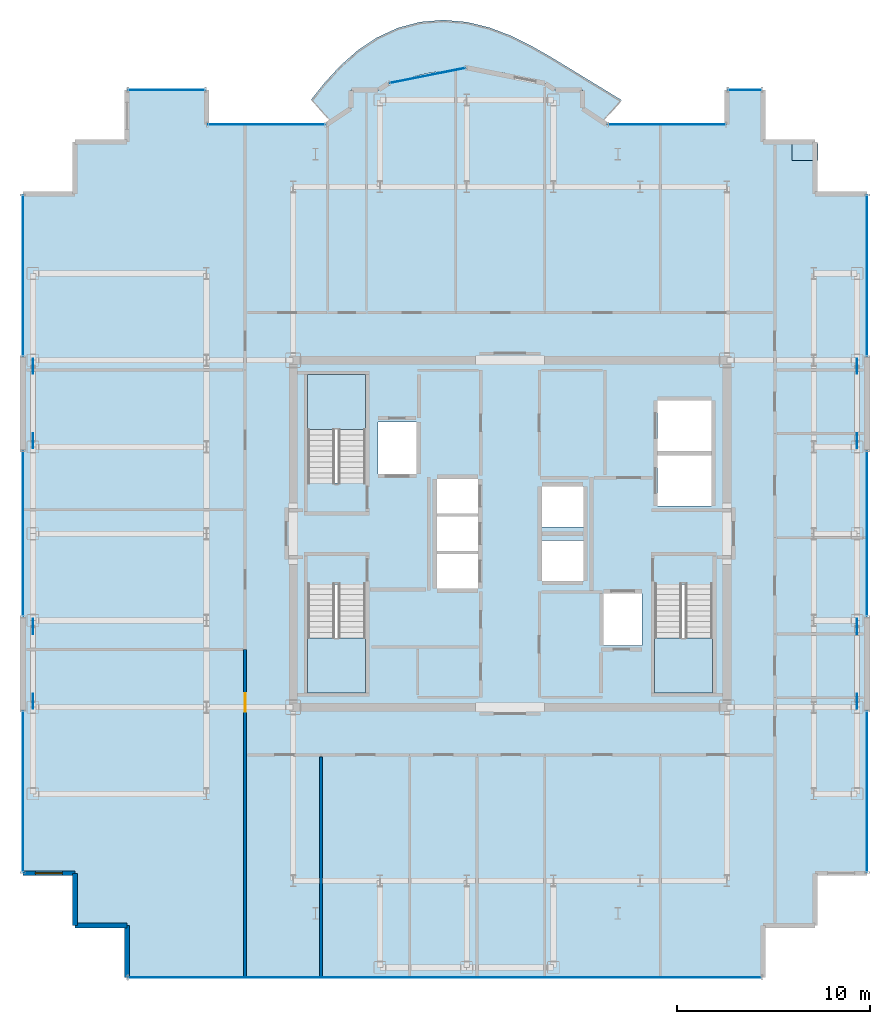
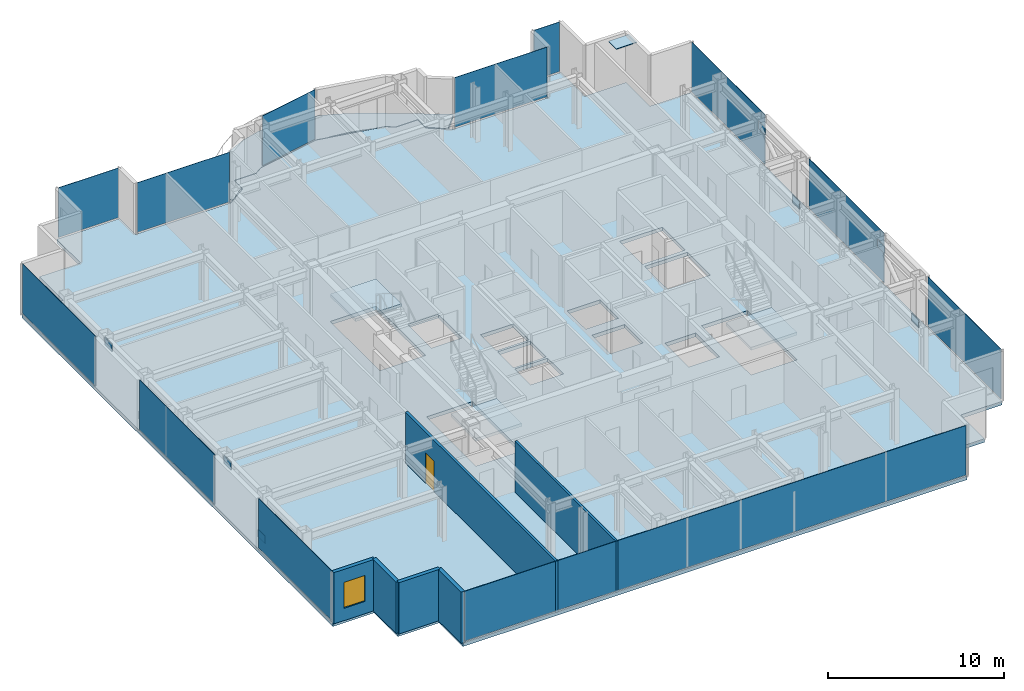
# One storey, part 10 of 16: 21 plates, 6 walls, 5 slabs, 1 door, 1 window, 2 openings, 15 elements without a shape of their own.
"""IFC4 building model written with IfcOpenShell, lengths in metres."""

from ifc_helpers import new_model, si_unit, direction, frame, frame_2d, origin, origin_2d, place, context, subcontext, project, spatial, polyline, rectangle, outline, extrude, source, transform, mapped, material, layer, layer_set, type_object, element, fill, aggregate, save


model = new_model("IFC4")

# Units and contexts
model_context = context("Model", 3, precision=1e-05, world=origin(), true_north=direction((0.0, 1.0)))
body_context = subcontext(model_context, "Body", "Model", "MODEL_VIEW")
ifc_project = project(units=[si_unit("LENGTHUNIT", "METRE"), si_unit("AREAUNIT", "SQUARE_METRE"), si_unit("VOLUMEUNIT", "CUBIC_METRE"), si_unit("PLANEANGLEUNIT", "RADIAN"), si_unit("MASSUNIT", "GRAM", prefix="KILO")], contexts=[model_context])

# Site, building, storey
site_placement = place(None, origin())
site = spatial("IfcSite", under=ifc_project, at=site_placement, CompositionType="ELEMENT")
building_placement = place(site_placement, origin())
building = spatial("IfcBuilding", under=site, at=building_placement, Name="Nefas-Gora Pilgrimage Tower", CompositionType="ELEMENT")
storey_placement = place(building_placement, frame((0.0, 0.0, 287.39990234375)))
storey = spatial("IfcBuildingStorey", under=building, at=storey_placement, Name="L72", CompositionType="ELEMENT", Elevation=287.39990234375)

# Slabs
ifc_material_1 = material(Name="Concrete C40/50", Category="concrete")
ifc_layer_1 = layer(ifc_material_1, 0.22998046875)
ifc_layer_set_1 = layer_set([ifc_layer_1], Name="Concrete C40/50")
slab_type_1 = type_object("IfcSlabType", Name="SLB-BAL-P5", PredefinedType="FLOOR", material=ifc_layer_set_1)
slab_1_placement = place(storey_placement, frame((0.0, 0.0, -0.22998046875)))
element("IfcSlab", 1, at=slab_1_placement, inside=storey, type_object=slab_type_1, Name="L72 Sinusoidal Lobe Balcony Slab N (Phase 5)", PredefinedType="FLOOR", context=body_context, shape_type="SweptSolid", body=[
    extrude(outline(polyline([(-9.28759765625, 21.385986328125), (-9.224609375, 21.427978515625), (-8.538330078125, 21.9912109375), (-8.260009765625, 22.179931640625), (-8.260009765625, 23.02001953125), (-8.260009765625, 23.02099609375), (-8.259765625, 23.02197265625), (-8.259521484375, 23.02294921875), (-8.25927734375, 23.023681640625), (-8.2587890625, 23.024658203125), (-8.25830078125, 23.025634765625), (-8.2578125, 23.0263671875), (-8.257080078125, 23.027099609375), (-8.25634765625, 23.027587890625), (-8.255615234375, 23.0283203125), (-8.254638671875, 23.02880859375), (-8.25390625, 23.029296875), (-8.2529296875, 23.029541015625), (-8.251953125, 23.02978515625), (-8.2509765625, 23.030029296875), (-8.25, 23.030029296875), (-6.8271484375, 23.030029296875), (-6.31298828125, 23.37353515625), (-6.31201171875, 23.3740234375), (-6.311279296875, 23.37451171875), (-6.310302734375, 23.375), (-6.309326171875, 23.375), (-5.63037109375, 23.51025390625), (-5.102783203125, 23.685302734375), (-4.165283203125, 23.904052734375), (-3.211669921875, 24.035888671875), (-2.919921875, 24.04931640625), (-2.251953125, 24.18212890625), (-2.2509765625, 24.182373046875), (-2.25, 24.182373046875), (-2.2490234375, 24.182373046875), (-2.248046875, 24.18212890625), (-1.580078125, 24.04931640625), (-1.288330078125, 24.035888671875), (-0.334716796875, 23.904052734375), (0.602783203125, 23.685302734375), (1.13037109375, 23.51025390625), (1.809326171875, 23.375), (1.810302734375, 23.375), (1.811279296875, 23.37451171875), (1.81201171875, 23.3740234375), (1.81298828125, 23.37353515625), (2.3271484375, 23.030029296875), (3.75, 23.030029296875), (3.7509765625, 23.030029296875), (3.751953125, 23.02978515625), (3.7529296875, 23.029541015625), (3.75390625, 23.029296875), (3.754638671875, 23.02880859375), (3.755615234375, 23.0283203125), (3.75634765625, 23.027587890625), (3.757080078125, 23.027099609375), (3.7578125, 23.0263671875), (3.75830078125, 23.025634765625), (3.7587890625, 23.024658203125), (3.75927734375, 23.023681640625), (3.759521484375, 23.02294921875), (3.759765625, 23.02197265625), (3.760009765625, 23.02099609375), (3.760009765625, 23.02001953125), (3.760009765625, 22.179931640625), (4.038330078125, 21.9912109375), (4.724609375, 21.427978515625), (4.78759765625, 21.385986328125), (5.782958984375, 22.491455078125), (4.843017578125, 23.068603515625), (3.91552734375, 23.631103515625), (2.99072265625, 24.197265625), (2.048583984375, 24.768310546875), (1.06591796875, 25.326904296875), (0.02392578125, 25.83935546875), (-1.083984375, 26.2607421875), (-2.25, 26.5439453125), (-3.45166015625, 26.6484375), (-4.6552734375, 26.548095703125), (-5.822509765625, 26.23681640625), (-6.917724609375, 25.729736328125), (-7.916015625, 25.059814453125), (-8.807861328125, 24.271240234375), (-9.599365234375, 23.412109375), (-10.3115234375, 22.523193359375), (-9.28759765625, 21.385986328125)])), origin(), (0.0, 0.0, 1.0), 0.22998046875),
])
ifc_layer_2 = layer(ifc_material_1, 0.25)
ifc_layer_set_2 = layer_set([ifc_layer_2], Name="Concrete C40/50")
slab_type_2 = type_object("IfcSlabType", Name="SLB-TWR-260", PredefinedType="FLOOR", material=ifc_layer_set_2)
slab_2_placement = place(storey_placement, frame((0.0, 0.0, -0.25)))
element("IfcSlab", 2, at=slab_2_placement, inside=storey, type_object=slab_type_2, Name="L72 Structural Floor Slab", PredefinedType="FLOOR", context=body_context, shape_type="SweptSolid", body=[
    extrude(outline(polyline([(15.820068359375, -17.6201171875), (18.52001953125, -17.6201171875), (18.52001953125, 17.6201171875), (15.820068359375, 17.6201171875), (15.820068359375, 20.320068359375), (13.1201171875, 20.320068359375), (13.1201171875, 23.02001953125), (11.25, 23.02001953125), (11.25, 21.219970703125), (5.01806640625, 21.219970703125), (3.75, 22.0673828125), (3.75, 23.02001953125), (2.32421875, 23.02001953125), (1.807373046875, 23.365234375), (-2.25, 24.17236328125), (-6.307373046875, 23.365234375), (-6.82421875, 23.02001953125), (-8.25, 23.02001953125), (-8.25, 22.0673828125), (-9.51806640625, 21.219970703125), (-15.75, 21.219970703125), (-15.75, 23.02001953125), (-19.8701171875, 23.02001953125), (-19.8701171875, 20.320068359375), (-22.570068359375, 20.320068359375), (-22.570068359375, 17.6201171875), (-25.27001953125, 17.6201171875), (-25.27001953125, -17.6201171875), (-22.570068359375, -17.6201171875), (-22.570068359375, -20.320068359375), (-19.8701171875, -20.320068359375), (-19.8701171875, -23.02001953125), (13.1201171875, -23.02001953125), (13.1201171875, -20.320068359375), (15.820068359375, -20.320068359375), (15.820068359375, -17.6201171875)]), holes=[polyline([(-10.5, 2.639892578125), (-10.5, 8.25), (-7.5, 8.25), (-7.5, 2.639892578125), (-10.5, 2.639892578125)]), polyline([(10.5, -2.639892578125), (10.5, -8.25), (7.5, -8.25), (7.5, -2.639892578125), (10.5, -2.639892578125)]), polyline([(-7.5, -2.639892578125), (-7.5, -8.25), (-10.5, -8.25), (-10.5, -2.639892578125), (-7.5, -2.639892578125)]), polyline([(-6.85009765625, 5.800048828125), (-4.85009765625, 5.800048828125), (-4.85009765625, 3.10009765625), (-6.85009765625, 3.10009765625), (-6.85009765625, 5.800048828125)]), polyline([(4.85009765625, -3.10009765625), (6.85009765625, -3.10009765625), (6.85009765625, -5.800048828125), (4.85009765625, -5.800048828125), (4.85009765625, -3.10009765625)]), polyline([(7.64990234375, 4.050048828125), (10.449951171875, 4.050048828125), (10.449951171875, 1.449951171875), (7.64990234375, 1.449951171875), (7.64990234375, 4.050048828125)]), polyline([(7.64990234375, 6.89990234375), (10.449951171875, 6.89990234375), (10.449951171875, 4.300048828125), (7.64990234375, 4.300048828125), (7.64990234375, 6.89990234375)]), polyline([(-3.800048828125, -1.050048828125), (-1.64990234375, -1.050048828125), (-1.64990234375, -2.85009765625), (-3.800048828125, -2.85009765625), (-3.800048828125, -1.050048828125)]), polyline([(-3.800048828125, 0.89990234375), (-1.64990234375, 0.89990234375), (-1.64990234375, -0.89990234375), (-3.800048828125, -0.89990234375), (-3.800048828125, 0.89990234375)]), polyline([(-3.800048828125, 2.85009765625), (-1.64990234375, 2.85009765625), (-1.64990234375, 1.050048828125), (-3.800048828125, 1.050048828125), (-3.800048828125, 2.85009765625)]), polyline([(1.64990234375, -0.35009765625), (3.800048828125, -0.35009765625), (3.800048828125, -2.449951171875), (1.64990234375, -2.449951171875), (1.64990234375, -0.35009765625)]), polyline([(1.64990234375, 2.449951171875), (3.800048828125, 2.449951171875), (3.800048828125, 0.35009765625), (1.64990234375, 0.35009765625), (1.64990234375, 2.449951171875)])]), origin(), (0.0, 0.0, 1.0), 0.25),
])

# Stair, slab
ifc_material_2 = material(Name="Concrete C45/55", Category="concrete")
stair_type = type_object("IfcStairType", Name="STR-1400-R1727", PredefinedType="HALF_TURN_STAIR", material=ifc_material_2)
stair_1_placement = place(storey_placement, origin())
stair_1 = element("IfcStair", 3, at=stair_1_placement, inside=storey, type_object=stair_type, Name="L72 Pressurised Tower Exit Stair ST-01", PredefinedType="HALF_TURN_STAIR")
ifc_layer_3 = layer(ifc_material_1, 0.199951171875)
ifc_layer_set_3 = layer_set([ifc_layer_3], Name="Concrete C40/50")
slab_type_3 = type_object("IfcSlabType", Name="STR-LAND-200", PredefinedType="LANDING", material=ifc_layer_set_3)
slab_3_placement = place(storey_placement, frame((0.0, 0.0, 1.7001953125)))
slab_3 = element("IfcSlab", 4, at=slab_3_placement, type_object=slab_type_3, Name="ST-01 landing 1", PredefinedType="LANDING", context=body_context, shape_type="SweptSolid", body=[
    extrude(outline(polyline([(-7.5, 5.39990234375), (-7.5, 8.25), (-10.5, 8.25), (-10.5, 5.39990234375), (-7.5, 5.39990234375)])), origin(), (0.0, 0.0, 1.0), 0.199951171875),
])
aggregate(stair_1, [slab_3])

stair_2_placement = place(storey_placement, origin())
stair_2 = element("IfcStair", 5, at=stair_2_placement, inside=storey, type_object=stair_type, Name="L72 Pressurised Tower Exit Stair ST-02", PredefinedType="HALF_TURN_STAIR")
slab_4_placement = place(storey_placement, frame((0.0, 0.0, 1.7001953125)))
slab_4 = element("IfcSlab", 6, at=slab_4_placement, type_object=slab_type_3, Name="ST-02 landing 1", PredefinedType="LANDING", context=body_context, shape_type="SweptSolid", body=[
    extrude(outline(polyline([(7.5, -5.39990234375), (7.5, -8.25), (10.5, -8.25), (10.5, -5.39990234375), (7.5, -5.39990234375)])), origin(), (0.0, 0.0, 1.0), 0.199951171875),
])
aggregate(stair_2, [slab_4])

stair_3_placement = place(storey_placement, origin())
stair_3 = element("IfcStair", 7, at=stair_3_placement, inside=storey, type_object=stair_type, Name="L72 Pressurised Tower Exit Stair ST-03", PredefinedType="HALF_TURN_STAIR")
slab_5_placement = place(storey_placement, frame((0.0, 0.0, 1.7001953125)))
slab_5 = element("IfcSlab", 8, at=slab_5_placement, type_object=slab_type_3, Name="ST-03 landing 1", PredefinedType="LANDING", context=body_context, shape_type="SweptSolid", body=[
    extrude(outline(polyline([(-10.5, -5.39990234375), (-10.5, -8.25), (-7.5, -8.25), (-7.5, -5.39990234375), (-10.5, -5.39990234375)])), origin(), (0.0, 0.0, 1.0), 0.199951171875),
])
aggregate(stair_3, [slab_5])

# Plates
ifc_material_3 = material(Name="Steel S355", Category="steel")
ifc_layer_4 = layer(ifc_material_3, 0.052001953125)
ifc_layer_set_4 = layer_set([ifc_layer_4], Name="Steel S355")
plate_type_1 = type_object("IfcPlateType", Name="PLT-NODE-N09", PredefinedType="USERDEFINED", material=ifc_layer_set_4)
shared_shape_1 = source(origin(), body_context, "Body", "SweptSolid", [
    extrude(rectangle(XDim=0.780029296875, YDim=0.0380859375, at=origin_2d()), origin(), (0.0, 0.0, 1.0), 0.5400390625),
])
for number, where, z_axis, x_axis, name in (
    (9, (-24.75, -8.68701171875, 0.10400390625), (0.0, 0.0, 1.0), (0.0, 1.0, 0.0), "Structural Node Gusset Plate N09 (L72)"),
    (10, (-24.75, -4.81298828125, 2.8759765625), (0.0, 0.0, 1.0), (0.0, 1.0, 0.0), "Structural Node Gusset Plate N09 (L72)"),
    (11, (-24.75, 4.81298828125, 0.10400390625), (0.0, 0.0, 1.0), (0.0, 1.0, 0.0), "Structural Node Gusset Plate N09 (L72)"),
    (12, (-24.75, 8.68701171875, 2.8759765625), (0.0, 0.0, 1.0), (0.0, 1.0, 0.0), "Structural Node Gusset Plate N09 (L72)"),
    (13, (18.0, -8.68701171875, 0.10400390625), (0.0, 0.0, 1.0), (0.0, 1.0, 0.0), "Structural Node Gusset Plate N09 (L72)"),
    (14, (18.0, -4.81298828125, 2.8759765625), (0.0, 0.0, 1.0), (0.0, 1.0, 0.0), "Structural Node Gusset Plate N09 (L72)"),
    (15, (18.0, 4.81298828125, 0.10400390625), (0.0, 0.0, 1.0), (0.0, 1.0, 0.0), "Structural Node Gusset Plate N09 (L72)"),
    (16, (18.0, 8.68701171875, 2.8759765625), (0.0, 0.0, 1.0), (0.0, 1.0, 0.0), "Structural Node Gusset Plate N09 (L72)"),
):
    element("IfcPlate", number, at=place(storey_placement, frame(where, z_axis=z_axis, x_axis=x_axis)), inside=storey, type_object=plate_type_1, Name=name, ObjectType="GUSSET_PLATE", PredefinedType="USERDEFINED", context=body_context, shape_type="MappedRepresentation", body=[
        mapped(shared_shape_1, transform((0.0, 0.0, 0.0), x_axis=(1.0, 0.0, 0.0), y_axis=(0.0, 1.0, 0.0), z_axis=(0.0, 0.0, 1.0), scale=1.0)),
    ])
ifc_layer_5 = layer(ifc_material_3, 0.053955078125)
ifc_layer_set_5 = layer_set([ifc_layer_5], Name="Steel S355")
plate_type_2 = type_object("IfcPlateType", Name="PLT-NODE-N10", PredefinedType="USERDEFINED", material=ifc_layer_set_5)
shared_shape_2 = source(origin(), body_context, "Body", "SweptSolid", [
    extrude(rectangle(XDim=1.35009765625, YDim=0.89990234375, at=origin_2d()), origin(), (0.0, 0.0, 1.0), 0.0419921875),
])
plate_1_placement = place(storey_placement, frame((15.300048828125, 19.800048828125, 3.279052734375), z_axis=(0.0, 0.0, 1.0), x_axis=(1.0, 0.0, 0.0)))
element("IfcPlate", 17, at=plate_1_placement, inside=storey, type_object=plate_type_2, Name="Structural Node Gusset Plate N10 (L72)", ObjectType="GUSSET_PLATE", PredefinedType="USERDEFINED", context=body_context, shape_type="MappedRepresentation", body=[
    mapped(shared_shape_2, transform((0.0, 0.0, 0.0), x_axis=(1.0, 0.0, 0.0), y_axis=(0.0, 1.0, 0.0), z_axis=(0.0, 0.0, 1.0), scale=1.0)),
])

# Curtain wall, plate
ifc_material_4 = material(Name="Dark ceramic-fritted solar-control aluminium-glass curtain wall", Category="aluminium")
ifc_layer_6 = layer(ifc_material_4, 0.219970703125)
ifc_layer_set_6 = layer_set([ifc_layer_6], Name="Dark ceramic-fritted solar-control aluminium-glass curtain wall")
curtain_wall_type_1 = type_object("IfcCurtainWallType", Name="CW-SYS-5", PredefinedType="NOTDEFINED", material=ifc_layer_set_6)
curtain_wall_1_placement = place(storey_placement, origin())
curtain_wall_1 = element("IfcCurtainWall", 18, at=curtain_wall_1_placement, inside=storey, type_object=curtain_wall_type_1, Name="L72 Unitised Curtain Wall CW5", PredefinedType="NOTDEFINED")
ifc_material_5 = material(Name="Dark ceramic-printed low-e insulated glass", Category="glass")
ifc_layer_7 = layer(ifc_material_5, 0.028076171875)
ifc_layer_set_7 = layer_set([ifc_layer_7], Name="Dark ceramic-printed low-e insulated glass")
plate_type_3 = type_object("IfcPlateType", Name="CWP-PNL-5", PredefinedType="CURTAIN_PANEL", material=ifc_layer_set_7)
shared_shape_3 = source(origin(), body_context, "Body", "SweptSolid", [
    extrude(rectangle(XDim=6.052001953125, YDim=0.028076171875, at=origin_2d()), origin(), (0.0, 0.0, 1.0), 3.43994140625),
])
plate_2_placement = place(storey_placement, frame((8.134033203125, 21.219970703125, 0.10009765625), z_axis=(0.0, 0.0, 1.0), x_axis=(-1.0, 0.0, 0.0)))
plate_2 = element("IfcPlate", 19, at=plate_2_placement, type_object=plate_type_3, Name="CW5 Ceramic-Fritted Glazing Panel 1", PredefinedType="CURTAIN_PANEL", context=body_context, shape_type="MappedRepresentation", body=[
    mapped(shared_shape_3, transform((0.0, 0.0, 0.0), x_axis=(1.0, 0.0, 0.0), y_axis=(0.0, 1.0, 0.0), z_axis=(0.0, 0.0, 1.0), scale=1.0)),
])
aggregate(curtain_wall_1, [plate_2])

curtain_wall_2_placement = place(storey_placement, origin())
curtain_wall_2 = element("IfcCurtainWall", 20, at=curtain_wall_2_placement, inside=storey, type_object=curtain_wall_type_1, Name="L72 Unitised Curtain Wall CW5", PredefinedType="NOTDEFINED")
plate_3_placement = place(storey_placement, frame((-12.634033203125, 21.219970703125, 0.10009765625), z_axis=(0.0, 0.0, 1.0), x_axis=(-1.0, 0.0, 0.0)))
plate_3 = element("IfcPlate", 21, at=plate_3_placement, type_object=plate_type_3, Name="CW5 Ceramic-Fritted Glazing Panel 1", PredefinedType="CURTAIN_PANEL", context=body_context, shape_type="MappedRepresentation", body=[
    mapped(shared_shape_3, transform((0.0, 0.0, 0.0), x_axis=(1.0, 0.0, 0.0), y_axis=(0.0, 1.0, 0.0), z_axis=(0.0, 0.0, 1.0), scale=1.0)),
])
aggregate(curtain_wall_2, [plate_3])

curtain_wall_3_placement = place(storey_placement, origin())
curtain_wall_3 = element("IfcCurtainWall", 22, at=curtain_wall_3_placement, inside=storey, type_object=curtain_wall_type_1, Name="L72 Unitised Curtain Wall CW5", PredefinedType="NOTDEFINED")
shared_shape_4 = source(origin(), body_context, "Body", "SweptSolid", [
    extrude(rectangle(XDim=3.956787109375, YDim=0.028076171875, at=origin_2d()), origin(), (0.0, 0.0, 1.0), 3.43994140625),
])
plate_4_placement = place(storey_placement, frame((-4.278564453125, 23.768798828125, 0.10009765625), z_axis=(0.0, 0.0, 1.0), x_axis=(-0.980782896852, -0.195102304554, 0.0)))
plate_4 = element("IfcPlate", 23, at=plate_4_placement, type_object=plate_type_3, Name="CW5 Ceramic-Fritted Glazing Panel 1", PredefinedType="CURTAIN_PANEL", context=body_context, shape_type="MappedRepresentation", body=[
    mapped(shared_shape_4, transform((0.0, 0.0, 0.0), x_axis=(1.0, 0.0, 0.0), y_axis=(0.0, 1.0, 0.0), z_axis=(0.0, 0.0, 1.0), scale=1.0)),
])
aggregate(curtain_wall_3, [plate_4])

ifc_layer_8 = layer(ifc_material_4, 0.219970703125)
ifc_layer_set_8 = layer_set([ifc_layer_8], Name="Dark ceramic-fritted solar-control aluminium-glass curtain wall")
curtain_wall_type_2 = type_object("IfcCurtainWallType", Name="CW-SYS-4", PredefinedType="NOTDEFINED", material=ifc_layer_set_8)
curtain_wall_4_placement = place(storey_placement, origin())
curtain_wall_4 = element("IfcCurtainWall", 24, at=curtain_wall_4_placement, inside=storey, type_object=curtain_wall_type_2, Name="L72 Unitised Curtain Wall CW4", PredefinedType="NOTDEFINED")
ifc_layer_9 = layer(ifc_material_5, 0.030029296875)
ifc_layer_set_9 = layer_set([ifc_layer_9], Name="Dark ceramic-printed low-e insulated glass")
plate_type_4 = type_object("IfcPlateType", Name="CWP-PNL-4", PredefinedType="CURTAIN_PANEL", material=ifc_layer_set_9)
shared_shape_5 = source(origin(), body_context, "Body", "SweptSolid", [
    extrude(rectangle(XDim=8.2900390625, YDim=0.030029296875, at=origin_2d()), origin(), (0.0, 0.0, 1.0), 3.43994140625),
])
plate_5_placement = place(storey_placement, frame((18.52001953125, -13.385009765625, 0.10009765625), z_axis=(0.0, 0.0, 1.0), x_axis=(0.0, 1.0, 0.0)))
plate_5 = element("IfcPlate", 25, at=plate_5_placement, type_object=plate_type_4, Name="CW4 Ceramic-Fritted Glazing Panel 1", PredefinedType="CURTAIN_PANEL", context=body_context, shape_type="MappedRepresentation", body=[
    mapped(shared_shape_5, transform((0.0, 0.0, 0.0), x_axis=(1.0, 0.0, 0.0), y_axis=(0.0, 1.0, 0.0), z_axis=(0.0, 0.0, 1.0), scale=1.0)),
])
aggregate(curtain_wall_4, [plate_5])

curtain_wall_5_placement = place(storey_placement, origin())
curtain_wall_5 = element("IfcCurtainWall", 26, at=curtain_wall_5_placement, inside=storey, type_object=curtain_wall_type_2, Name="L72 Unitised Curtain Wall CW4", PredefinedType="NOTDEFINED")
plate_6_placement = place(storey_placement, frame((18.52001953125, 13.385009765625, 0.10009765625), z_axis=(0.0, 0.0, 1.0), x_axis=(0.0, 1.0, 0.0)))
plate_6 = element("IfcPlate", 27, at=plate_6_placement, type_object=plate_type_4, Name="CW4 Ceramic-Fritted Glazing Panel 1", PredefinedType="CURTAIN_PANEL", context=body_context, shape_type="MappedRepresentation", body=[
    mapped(shared_shape_5, transform((0.0, 0.0, 0.0), x_axis=(1.0, 0.0, 0.0), y_axis=(0.0, 1.0, 0.0), z_axis=(0.0, 0.0, 1.0), scale=1.0)),
])
aggregate(curtain_wall_5, [plate_6])

curtain_wall_6_placement = place(storey_placement, origin())
curtain_wall_6 = element("IfcCurtainWall", 28, at=curtain_wall_6_placement, inside=storey, type_object=curtain_wall_type_2, Name="L72 Unitised Curtain Wall CW4", PredefinedType="NOTDEFINED")
plate_7_placement = place(storey_placement, frame((-25.27001953125, 13.385009765625, 0.10009765625), z_axis=(0.0, 0.0, 1.0), x_axis=(0.0, -1.0, 0.0)))
plate_7 = element("IfcPlate", 29, at=plate_7_placement, type_object=plate_type_4, Name="CW4 Ceramic-Fritted Glazing Panel 1", PredefinedType="CURTAIN_PANEL", context=body_context, shape_type="MappedRepresentation", body=[
    mapped(shared_shape_5, transform((0.0, 0.0, 0.0), x_axis=(1.0, 0.0, 0.0), y_axis=(0.0, 1.0, 0.0), z_axis=(0.0, 0.0, 1.0), scale=1.0)),
])
aggregate(curtain_wall_6, [plate_7])

curtain_wall_7_placement = place(storey_placement, origin())
curtain_wall_7 = element("IfcCurtainWall", 30, at=curtain_wall_7_placement, inside=storey, type_object=curtain_wall_type_2, Name="L72 Unitised Curtain Wall CW4", PredefinedType="NOTDEFINED")
plate_8_placement = place(storey_placement, frame((-25.27001953125, -13.385009765625, 0.10009765625), z_axis=(0.0, 0.0, 1.0), x_axis=(0.0, -1.0, 0.0)))
plate_8 = element("IfcPlate", 31, at=plate_8_placement, type_object=plate_type_4, Name="CW4 Ceramic-Fritted Glazing Panel 1", PredefinedType="CURTAIN_PANEL", context=body_context, shape_type="MappedRepresentation", body=[
    mapped(shared_shape_5, transform((0.0, 0.0, 0.0), x_axis=(1.0, 0.0, 0.0), y_axis=(0.0, 1.0, 0.0), z_axis=(0.0, 0.0, 1.0), scale=1.0)),
])
aggregate(curtain_wall_7, [plate_8])

curtain_wall_8_placement = place(storey_placement, origin())
curtain_wall_8 = element("IfcCurtainWall", 32, at=curtain_wall_8_placement, inside=storey, type_object=curtain_wall_type_2, Name="L72 Unitised Curtain Wall CW4", PredefinedType="NOTDEFINED")
shared_shape_6 = source(origin(), body_context, "Body", "SweptSolid", [
    extrude(rectangle(XDim=8.52001953125, YDim=0.030029296875, at=origin_2d()), origin(), (0.0, 0.0, 1.0), 3.43994140625),
])
plate_9_placement = place(storey_placement, frame((18.52001953125, 0.0, 0.10009765625), z_axis=(0.0, 0.0, 1.0), x_axis=(0.0, 1.0, 0.0)))
plate_9 = element("IfcPlate", 33, at=plate_9_placement, type_object=plate_type_4, Name="CW4 Ceramic-Fritted Glazing Panel 1", PredefinedType="CURTAIN_PANEL", context=body_context, shape_type="MappedRepresentation", body=[
    mapped(shared_shape_6, transform((0.0, 0.0, 0.0), x_axis=(1.0, 0.0, 0.0), y_axis=(0.0, 1.0, 0.0), z_axis=(0.0, 0.0, 1.0), scale=1.0)),
])
aggregate(curtain_wall_8, [plate_9])

curtain_wall_9_placement = place(storey_placement, origin())
curtain_wall_9 = element("IfcCurtainWall", 34, at=curtain_wall_9_placement, inside=storey, type_object=curtain_wall_type_2, Name="L72 Unitised Curtain Wall CW4", PredefinedType="NOTDEFINED")
plate_10_placement = place(storey_placement, frame((-25.27001953125, 0.0, 0.10009765625), z_axis=(0.0, 0.0, 1.0), x_axis=(0.0, -1.0, 0.0)))
plate_10 = element("IfcPlate", 35, at=plate_10_placement, type_object=plate_type_4, Name="CW4 Ceramic-Fritted Glazing Panel 1", PredefinedType="CURTAIN_PANEL", context=body_context, shape_type="MappedRepresentation", body=[
    mapped(shared_shape_6, transform((0.0, 0.0, 0.0), x_axis=(1.0, 0.0, 0.0), y_axis=(0.0, 1.0, 0.0), z_axis=(0.0, 0.0, 1.0), scale=1.0)),
])
aggregate(curtain_wall_9, [plate_10])

curtain_wall_10_placement = place(storey_placement, origin())
curtain_wall_10 = element("IfcCurtainWall", 36, at=curtain_wall_10_placement, inside=storey, type_object=curtain_wall_type_2, Name="L72 Unitised Curtain Wall CW4", PredefinedType="NOTDEFINED")
shared_shape_7 = source(origin(), body_context, "Body", "SweptSolid", [
    extrude(rectangle(XDim=1.68994140625, YDim=0.030029296875, at=origin_2d()), origin(), (0.0, 0.0, 1.0), 3.43994140625),
])
plate_11_placement = place(storey_placement, frame((12.18505859375, 23.02001953125, 0.10009765625), z_axis=(0.0, 0.0, 1.0), x_axis=(-1.0, 0.0, 0.0)))
plate_11 = element("IfcPlate", 37, at=plate_11_placement, type_object=plate_type_4, Name="CW4 Ceramic-Fritted Glazing Panel 1", PredefinedType="CURTAIN_PANEL", context=body_context, shape_type="MappedRepresentation", body=[
    mapped(shared_shape_7, transform((0.0, 0.0, 0.0), x_axis=(1.0, 0.0, 0.0), y_axis=(0.0, 1.0, 0.0), z_axis=(0.0, 0.0, 1.0), scale=1.0)),
])
aggregate(curtain_wall_10, [plate_11])

curtain_wall_11_placement = place(storey_placement, origin())
curtain_wall_11 = element("IfcCurtainWall", 38, at=curtain_wall_11_placement, inside=storey, type_object=curtain_wall_type_2, Name="L72 Unitised Curtain Wall CW4", PredefinedType="NOTDEFINED")
shared_shape_8 = source(origin(), body_context, "Body", "SweptSolid", [
    extrude(rectangle(XDim=3.93994140625, YDim=0.030029296875, at=origin_2d()), origin(), (0.0, 0.0, 1.0), 3.43994140625),
])
plate_12_placement = place(storey_placement, frame((-17.81005859375, 23.02001953125, 0.10009765625), z_axis=(0.0, 0.0, 1.0), x_axis=(-1.0, 0.0, 0.0)))
plate_12 = element("IfcPlate", 39, at=plate_12_placement, type_object=plate_type_4, Name="CW4 Ceramic-Fritted Glazing Panel 1", PredefinedType="CURTAIN_PANEL", context=body_context, shape_type="MappedRepresentation", body=[
    mapped(shared_shape_8, transform((0.0, 0.0, 0.0), x_axis=(1.0, 0.0, 0.0), y_axis=(0.0, 1.0, 0.0), z_axis=(0.0, 0.0, 1.0), scale=1.0)),
])
aggregate(curtain_wall_11, [plate_12])

curtain_wall_12_placement = place(storey_placement, origin())
curtain_wall_12 = element("IfcCurtainWall", 40, at=curtain_wall_12_placement, inside=storey, type_object=curtain_wall_type_2, Name="L72 Unitised Curtain Wall CW4", PredefinedType="NOTDEFINED")
shared_shape_9 = source(origin(), body_context, "Body", "SweptSolid", [
    extrude(rectangle(XDim=32.81005859375, YDim=0.030029296875, at=origin_2d()), origin(), (0.0, 0.0, 1.0), 3.43994140625),
])
plate_13_placement = place(storey_placement, frame((-3.375, -23.02001953125, 0.10009765625), z_axis=(0.0, 0.0, 1.0), x_axis=(1.0, 0.0, 0.0)))
plate_13 = element("IfcPlate", 41, at=plate_13_placement, type_object=plate_type_4, Name="CW4 Ceramic-Fritted Glazing Panel 1", PredefinedType="CURTAIN_PANEL", context=body_context, shape_type="MappedRepresentation", body=[
    mapped(shared_shape_9, transform((0.0, 0.0, 0.0), x_axis=(1.0, 0.0, 0.0), y_axis=(0.0, 1.0, 0.0), z_axis=(0.0, 0.0, 1.0), scale=1.0)),
])
aggregate(curtain_wall_12, [plate_13])

# Wall, opening, window
ifc_material_6 = material(Name="Precast concrete C45/55", Category="concrete")
ifc_layer_10 = layer(ifc_material_6, 0.239990234375)
ifc_layer_set_10 = layer_set([ifc_layer_10], Name="Precast concrete C45/55")
wall_type_1 = type_object("IfcWallType", Name="EW-SERR-240", PredefinedType="SHEAR", material=ifc_layer_set_10)
shared_shape_10 = source(origin(), body_context, "Body", "SweptSolid", [
    extrude(rectangle(XDim=2.699951171875, YDim=0.239990234375, at=frame_2d((1.35009765625, 0.0))), origin(), (0.0, 0.0, 1.0), 3.550048828125),
])
wall_1_placement = place(storey_placement, frame((-25.27001953125, -17.6201171875, 0.0), z_axis=(0.0, 0.0, 1.0), x_axis=(1.0, 0.0, 0.0)))
wall_1 = element("IfcWall", 42, at=wall_1_placement, inside=storey, type_object=wall_type_1, Name="L72 Serrated Corner Shear Pier Wall 25", PredefinedType="SHEAR", context=body_context, shape_type="MappedRepresentation", body=[
    mapped(shared_shape_10, transform((0.0, 0.0, 0.0), x_axis=(1.0, 0.0, 0.0), y_axis=(0.0, 1.0, 0.0), z_axis=(0.0, 0.0, 1.0), scale=1.0)),
])
opening_1_placement = place(wall_1_placement, frame((0.64990234375, 0.0, 0.85009765625)))
opening_1 = element("IfcOpeningElement", 43, at=opening_1_placement, cuts=wall_1, Name="Opening W-V2", PredefinedType="OPENING", context=body_context, shape_type="SweptSolid", body=[
    extrude(rectangle(XDim=1.39990234375, YDim=1.800048828125, at=frame_2d((0.699951171875, 0.89990234375))), frame((0.0, 0.1298828125, 0.0), z_axis=(0.0, -1.0, 0.0), x_axis=(1.0, 0.0, 0.0)), (0.0, 0.0, 1.0), 0.260009765625),
])
ifc_material_7 = material(Name="Dark ceramic-fritted operable aluminium-glass window", Category="aluminium")
window_type = type_object("IfcWindowType", Name="WIN-VENT-1400x1800", PartitioningType="SINGLE_PANEL", PredefinedType="WINDOW", material=ifc_material_7)
shared_shape_11 = source(origin(), body_context, "Body", "SweptSolid", [
    extrude(rectangle(XDim=1.39990234375, YDim=1.800048828125, at=frame_2d((0.699951171875, 0.89990234375))), frame((0.0, 0.030029296875, 0.0), z_axis=(0.0, -1.0, 0.0), x_axis=(1.0, 0.0, 0.0)), (0.0, 0.0, 1.0), 0.06005859375),
])
window_placement = place(opening_1_placement, origin())
window = element("IfcWindow", 44, at=window_placement, inside=storey, type_object=window_type, Name="L72 Operable Parallel-Outswing Window 25", OverallHeight=1.800048828125, OverallWidth=1.39990234375, PartitioningType="SINGLE_PANEL", PredefinedType="WINDOW", context=body_context, shape_type="MappedRepresentation", body=[
    mapped(shared_shape_11, transform((0.0, 0.0, 0.0), x_axis=(1.0, 0.0, 0.0), y_axis=(0.0, 1.0, 0.0), z_axis=(0.0, 0.0, 1.0), scale=1.0)),
])
fill(opening_1, window)

# Walls
for number, where, z_axis, x_axis, name in (
    (45, (-22.570068359375, -17.6201171875, 0.0), (0.0, 0.0, 1.0), (0.0, -1.0, 0.0), "L72 Serrated Corner Shear Pier Wall 26"),
    (46, (-22.570068359375, -20.320068359375, 0.0), (0.0, 0.0, 1.0), (1.0, 0.0, 0.0), "L72 Serrated Corner Shear Pier Wall 27"),
    (47, (-19.8701171875, -20.320068359375, 0.0), (0.0, 0.0, 1.0), (0.0, -1.0, 0.0), "L72 Serrated Corner Shear Pier Wall 28"),
):
    element("IfcWall", number, at=place(storey_placement, frame(where, z_axis=z_axis, x_axis=x_axis)), inside=storey, type_object=wall_type_1, Name=name, PredefinedType="SHEAR", context=body_context, shape_type="MappedRepresentation", body=[
        mapped(shared_shape_10, transform((0.0, 0.0, 0.0), x_axis=(1.0, 0.0, 0.0), y_axis=(0.0, 1.0, 0.0), z_axis=(0.0, 0.0, 1.0), scale=1.0)),
    ])
ifc_material_8 = material(Name="Gypsum twin-stud partition")
ifc_layer_11 = layer(ifc_material_8, 0.139892578125)
ifc_layer_set_11 = layer_set([ifc_layer_11], Name="Gypsum twin-stud partition")
wall_type_2 = type_object("IfcWallType", Name="IW-UNIT-140", PredefinedType="PARTITIONING", material=ifc_layer_set_11)
shared_shape_12 = source(origin(), body_context, "Body", "SweptSolid", [
    extrude(rectangle(XDim=11.449951171875, YDim=0.139892578125, at=frame_2d((5.72509765625, 0.0))), origin(), (0.0, 0.0, 1.0), 3.53515625),
])
wall_2_placement = place(storey_placement, frame((-9.804931640625, -23.0400390625, 0.0), z_axis=(0.0, 0.0, 1.0), x_axis=(0.0, 1.0, 0.0)))
element("IfcWall", 48, at=wall_2_placement, inside=storey, type_object=wall_type_2, Name="L72 Pilgrim Contemplative Lounge Partition Wall 60", PredefinedType="PARTITIONING", context=body_context, shape_type="MappedRepresentation", body=[
    mapped(shared_shape_12, transform((0.0, 0.0, 0.0), x_axis=(1.0, 0.0, 0.0), y_axis=(0.0, 1.0, 0.0), z_axis=(0.0, 0.0, 1.0), scale=1.0)),
])

# Wall, opening, door
ifc_material_9 = material(Name="Gypsum acoustic stud partition")
ifc_layer_12 = layer(ifc_material_9, 0.159912109375)
ifc_layer_set_12 = layer_set([ifc_layer_12], Name="Gypsum acoustic stud partition")
wall_type_3 = type_object("IfcWallType", Name="IW-CORR-160", PredefinedType="PARTITIONING", material=ifc_layer_set_12)
shared_shape_13 = source(origin(), body_context, "Body", "SweptSolid", [
    extrude(rectangle(XDim=17.044921875, YDim=0.159912109375, at=frame_2d((8.5224609375, 0.0))), origin(), (0.0, 0.0, 1.0), 3.53515625),
])
wall_3_placement = place(storey_placement, frame((-13.739990234375, -23.0400390625, 0.0), z_axis=(0.0, 0.0, 1.0), x_axis=(0.0, 1.0, 0.0)))
wall_3 = element("IfcWall", 49, at=wall_3_placement, inside=storey, type_object=wall_type_3, Name="L72 Pilgrim Tea and Beverage Pantry Partition Wall 33", PredefinedType="PARTITIONING", context=body_context, shape_type="MappedRepresentation", body=[
    mapped(shared_shape_13, transform((0.0, 0.0, 0.0), x_axis=(1.0, 0.0, 0.0), y_axis=(0.0, 1.0, 0.0), z_axis=(0.0, 0.0, 1.0), scale=1.0)),
])
opening_2_placement = place(wall_3_placement, frame((13.8125, 0.0, 0.0)))
opening_2 = element("IfcOpeningElement", 50, at=opening_2_placement, cuts=wall_3, Name="Opening ID-GR1", PredefinedType="OPENING", context=body_context, shape_type="SweptSolid", body=[
    extrude(rectangle(XDim=0.949951171875, YDim=2.10009765625, at=frame_2d((0.47509765625, 1.050048828125))), frame((0.0, 0.08984375, 0.0), z_axis=(0.0, -1.0, 0.0), x_axis=(1.0, 0.0, 0.0)), (0.0, 0.0, 1.0), 0.179931640625),
])
ifc_material_10 = material(Name="Solid core oak fire-rated guest entrance door")
door_type = type_object("IfcDoorType", Name="DR-INT-GUEST-950", OperationType="NOTDEFINED", PredefinedType="DOOR", material=ifc_material_10)
shared_shape_14 = source(origin(), body_context, "Body", "SweptSolid", [
    extrude(rectangle(XDim=0.949951171875, YDim=2.10009765625, at=frame_2d((0.47509765625, 1.050048828125))), frame((0.0, 0.02490234375, 0.0), z_axis=(0.0, -1.0, 0.0), x_axis=(1.0, 0.0, 0.0)), (0.0, 0.0, 1.0), 0.050048828125),
])
door_placement = place(opening_2_placement, origin())
door = element("IfcDoor", 51, at=door_placement, inside=storey, type_object=door_type, Name="L72 Pilgrim Tea and Beverage Pantry Door 14", OperationType="SINGLE_SWING_RIGHT", OverallHeight=2.10009765625, OverallWidth=0.949951171875, PredefinedType="DOOR", context=body_context, shape_type="MappedRepresentation", body=[
    mapped(shared_shape_14, transform((0.0, 0.0, 0.0), x_axis=(1.0, 0.0, 0.0), y_axis=(0.0, 1.0, 0.0), z_axis=(0.0, 0.0, 1.0), scale=1.0)),
])
fill(opening_2, door)

save(model, "model.ifc")
